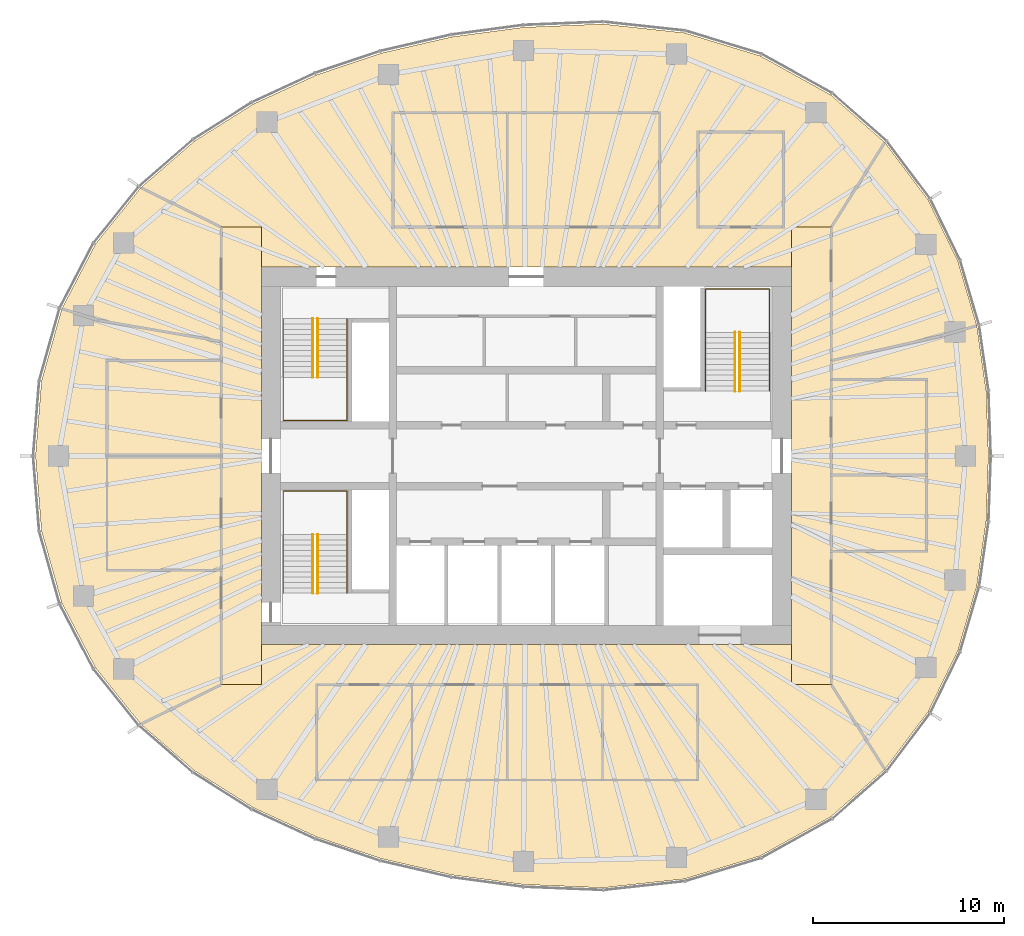
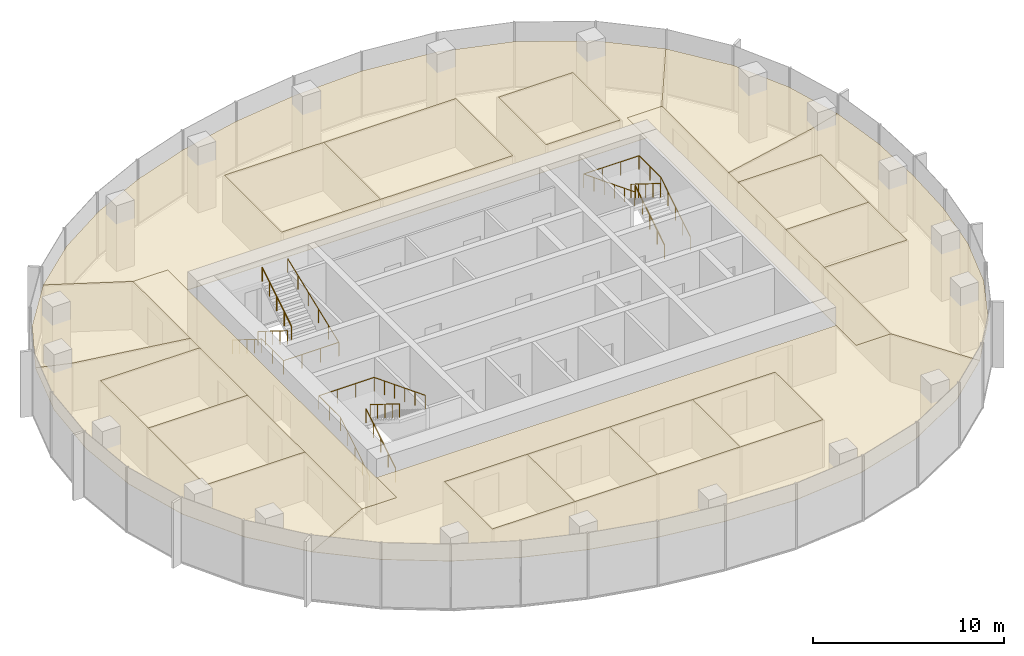
# One storey, part 11 of 11: 19 coverings, 9 railings.
"""IFC4 building model written with IfcOpenShell, lengths in metres."""

import ifcopenshell
import ifcopenshell.guid

model = None  # the IFC model being written
_history = None  # IfcOwnerHistory: only IFC2X3 demands one
_inside = {}  # id of a spatial element -> (the spatial element, [elements in it])
_under = {}  # id of a project, library or spatial element -> (it, [spatial elements below it])
_declared = {}  # id of a project -> (the project, [libraries it declares])
_typed = {}  # id of a type object -> (the type object, [elements of that type])
_made_of = {}  # id of a material, layer set ... -> (it, [elements and type objects made of it])


def new_model(schema):
    """Start an empty IFC model of exactly this schema.

    Asked for "IFC4X3", IfcOpenShell would pick the latest addendum, in which some entities
    have other attributes; the version numbers below select the first issue.
    IFC2X3 requires an IfcOwnerHistory on every rooted entity: one is made here for all.
    """
    global model, _history
    if schema == "IFC4X3":
        model = ifcopenshell.file(schema_version=(4, 3, 0, 0))
    else:
        model = ifcopenshell.file(schema=schema)
    _inside.clear()
    _under.clear()
    _declared.clear()
    _typed.clear()
    _made_of.clear()
    _history = None
    if model.schema == "IFC2X3":
        org = make("IfcOrganization", Name="unknown")
        user = make(
            "IfcPersonAndOrganization",
            ThePerson=make("IfcPerson", FamilyName="unknown"),
            TheOrganization=org,
        )
        app = make(
            "IfcApplication",
            ApplicationDeveloper=org,
            Version="unknown",
            ApplicationFullName="unknown",
            ApplicationIdentifier="unknown",
        )
        _history = make(
            "IfcOwnerHistory",
            OwningUser=user,
            OwningApplication=app,
            ChangeAction="ADDED",
            CreationDate=0,
        )
    return model


def make(cls, **values):
    """One entity of the class cls with the attributes given. An attribute that is None is left unset."""
    return model.create_entity(
        cls, **{name: value for name, value in values.items() if value is not None}
    )


def rooted(cls, **values):
    """An entity with a GlobalId (a new one), such as an element, a storey or a relation."""
    return make(cls, GlobalId=ifcopenshell.guid.new(), OwnerHistory=_history, **values)


def si_unit(unit_type, name, prefix=None):
    """IfcSIUnit, for example si_unit("LENGTHUNIT", "METRE", prefix="MILLI")."""
    return make("IfcSIUnit", UnitType=unit_type, Prefix=prefix, Name=name)


def assignment(units):
    """IfcUnitAssignment: the units of a project."""
    return None if units is None else make("IfcUnitAssignment", Units=units)


def point(xyz):
    """IfcCartesianPoint."""
    return None if xyz is None else make("IfcCartesianPoint", Coordinates=xyz)


def direction(xyz):
    """IfcDirection."""
    return None if xyz is None else make("IfcDirection", DirectionRatios=xyz)


def frame(location, z_axis=None, x_axis=None):
    """IfcAxis2Placement3D, a coordinate frame: its origin and axes. An axis left out is left unset."""
    return make(
        "IfcAxis2Placement3D",
        Location=point(location),
        Axis=direction(z_axis),
        RefDirection=direction(x_axis),
    )


def frame_2d(location, x_axis=None):
    """IfcAxis2Placement2D, a coordinate frame in the plane: its origin and x axis."""
    return make(
        "IfcAxis2Placement2D", Location=point(location), RefDirection=direction(x_axis)
    )


def origin():
    """The frame at (0, 0, 0) with its axes left unset."""
    return frame((0.0, 0.0, 0.0))


def origin_2d():
    """The frame at (0, 0) in the plane with its x axis left unset."""
    return frame_2d((0.0, 0.0))


def place(relative_to, where):
    """IfcLocalPlacement: puts the frame where relative to a parent placement (None: the world)."""
    return make(
        "IfcLocalPlacement", PlacementRelTo=relative_to, RelativePlacement=where
    )


def context(
    kind, dimensions, precision=None, world=None, true_north=None, identifier=None
):
    """IfcGeometricRepresentationContext, for example the 3D "Model" context."""
    return make(
        "IfcGeometricRepresentationContext",
        ContextIdentifier=identifier,
        ContextType=kind,
        CoordinateSpaceDimension=dimensions,
        Precision=precision,
        WorldCoordinateSystem=world,
        TrueNorth=true_north,
    )


def subcontext(parent, identifier, kind, view, scale=None):
    """IfcGeometricRepresentationSubContext, for example "Body" below "Model"."""
    return make(
        "IfcGeometricRepresentationSubContext",
        ContextIdentifier=identifier,
        ContextType=kind,
        ParentContext=parent,
        TargetScale=scale,
        TargetView=view,
    )


def project(units=None, contexts=None):
    """IfcProject with its units and contexts."""
    return rooted(
        "IfcProject",
        Name="project",
        RepresentationContexts=contexts,
        UnitsInContext=assignment(units),
    )


def spatial(cls, under=None, at=None, **own):
    """A site, building, storey or space (cls), placed at a placement, below another one or the project."""
    s = rooted(cls, ObjectPlacement=at, **own)
    if under is not None:
        _under.setdefault(under.id(), (under, []))[1].append(s)
    return s


def polyline(points):
    """IfcPolyline through the points."""
    return make("IfcPolyline", Points=[point(p) for p in points])


def profile(cls, at=None, kind="AREA", **sizes):
    """A parametric profile (cls). Its sizes go by their IFC names, for example OverallWidth=200.0."""
    return make(cls, ProfileType=kind, Position=at, **sizes)


def circle(**sizes):
    """IfcCircleProfileDef."""
    return profile("IfcCircleProfileDef", **sizes)


def outline(outer, holes=None, kind="AREA"):
    """IfcArbitraryClosedProfileDef: a profile drawn as a closed curve; with holes, ...WithVoids."""
    if holes is None:
        return make("IfcArbitraryClosedProfileDef", ProfileType=kind, OuterCurve=outer)
    return make(
        "IfcArbitraryProfileDefWithVoids",
        ProfileType=kind,
        OuterCurve=outer,
        InnerCurves=holes,
    )


def extrude(swept, where, along, depth):
    """IfcExtrudedAreaSolid: the profile swept, set in the frame where, extruded along a direction by depth."""
    return make(
        "IfcExtrudedAreaSolid",
        SweptArea=swept,
        Position=where,
        ExtrudedDirection=direction(along),
        Depth=depth,
    )


def shape(context_of_items, identifier, shape_type, items):
    """IfcShapeRepresentation: the items that make up one representation, for example the "Body"."""
    return make(
        "IfcShapeRepresentation",
        ContextOfItems=context_of_items,
        RepresentationIdentifier=identifier,
        RepresentationType=shape_type,
        Items=items,
    )


def material(Name=None, Category=None):
    """IfcMaterial."""
    return make("IfcMaterial", Name=Name, Category=Category)


def layer(
    of_material, thickness, ventilated=None, Name=None, Category=None, Priority=None
):
    """IfcMaterialLayer: one layer of a wall or slab, of a material (None: an air gap)."""
    return make(
        "IfcMaterialLayer",
        Material=of_material,
        LayerThickness=thickness,
        IsVentilated=ventilated,
        Name=Name,
        Category=Category,
        Priority=Priority,
    )


def layer_set(layers, Name=None):
    """IfcMaterialLayerSet."""
    return make("IfcMaterialLayerSet", MaterialLayers=layers, LayerSetName=Name)


def made_of(thing, what):
    """Note that an element or type object is made of a material, layer set ...; save() writes the relation."""
    if what is not None:
        _made_of.setdefault(what.id(), (what, []))[1].append(thing)
    return thing


def type_object(cls, material=None, **own):
    """A type object (cls), such as IfcWallType, which elements share."""
    return made_of(rooted(cls, **own), material)


def element(
    cls,
    number,
    at=None,
    inside=None,
    cuts=None,
    type_object=None,
    material=None,
    context=None,
    identifier="Body",
    shape_type=None,
    held_by="IfcProductDefinitionShape",
    body=None,
    shapes=None,
    **own,
):
    """One element of the class cls, such as IfcWall. Its Tag is "e" and its number.

    at: its placement. inside: the storey or other place that contains it. cuts: it is an
    opening in that element (IfcRelVoidsElement). A single representation is given by context,
    identifier, shape_type and body (its items); several are given by shapes. held_by: the class
    of the entity that holds the representations. save() writes the other relations.
    """
    e = rooted(cls, Tag="e%d" % number, ObjectPlacement=at, **own)
    if body is not None:
        shapes = [shape(context, identifier, shape_type, body)]
    if shapes is not None:
        e.Representation = make(held_by, Representations=shapes)
    if inside is not None:
        _inside.setdefault(inside.id(), (inside, []))[1].append(e)
    if cuts is not None:
        rooted(
            "IfcRelVoidsElement", RelatingBuildingElement=cuts, RelatedOpeningElement=e
        )
    if type_object is not None:
        _typed.setdefault(type_object.id(), (type_object, []))[1].append(e)
    return made_of(e, material)


def aggregate(whole, parts):
    """IfcRelAggregates: a whole, such as a stair, and the parts it consists of."""
    return rooted("IfcRelAggregates", RelatingObject=whole, RelatedObjects=parts)


def save(model, path):
    """Write the relations noted so far, then the file.

    IfcRelAggregates (storeys below a building ...), IfcRelContainedInSpatialStructure (elements
    in a storey), IfcRelDefinesByType, IfcRelAssociatesMaterial and IfcRelDeclares: one each for
    every whole, place, type object, material and project.
    """
    for whole, parts in _under.values():
        aggregate(whole, parts)
    for where, things in _inside.values():
        rooted(
            "IfcRelContainedInSpatialStructure",
            RelatedElements=things,
            RelatingStructure=where,
        )
    for kind, things in _typed.values():
        rooted("IfcRelDefinesByType", RelatedObjects=things, RelatingType=kind)
    for what, things in _made_of.values():
        rooted("IfcRelAssociatesMaterial", RelatedObjects=things, RelatingMaterial=what)
    for by, libraries in _declared.values():
        rooted("IfcRelDeclares", RelatingContext=by, RelatedDefinitions=libraries)
    model.write(path)


model = new_model("IFC4")

# Units and contexts
model_context = context("Model", 3, precision=1e-05, world=origin(), true_north=direction((0.0, 1.0)))
body_context = subcontext(model_context, "Body", "Model", "MODEL_VIEW")
ifc_project = project(units=[si_unit("LENGTHUNIT", "METRE"), si_unit("AREAUNIT", "SQUARE_METRE"), si_unit("VOLUMEUNIT", "CUBIC_METRE"), si_unit("PLANEANGLEUNIT", "RADIAN"), si_unit("MASSUNIT", "GRAM", prefix="KILO")], contexts=[model_context])

# Site, building, storey
site_placement = place(None, origin())
site = spatial("IfcSite", under=ifc_project, at=site_placement, CompositionType="ELEMENT")
building_placement = place(site_placement, origin())
building = spatial("IfcBuilding", under=site, at=building_placement, Name="Ghaith Harvest Tower", CompositionType="ELEMENT")
storey_placement = place(building_placement, frame((0.0, 0.0, 292.199951171875)))
storey = spatial("IfcBuildingStorey", under=building, at=storey_placement, Name="L65", CompositionType="ELEMENT", Elevation=292.199951171875)

# Coverings
ifc_material_1 = material(Name="Mineral fibre ceiling tile", Category="gypsum")
ifc_layer = layer(ifc_material_1, 0.02490234375)
ifc_layer_set = layer_set([ifc_layer], Name="CEILING C2")
covering_type = type_object("IfcCoveringType", Name="CEILING C2", PredefinedType="CEILING", material=ifc_layer_set)
covering_1_placement = place(storey_placement, frame((0.0, 0.0, 3.0)))
element("IfcCovering", 1, at=covering_1_placement, inside=storey, type_object=covering_type, Name="Ceiling L65-01", PredefinedType="CEILING", context=body_context, shape_type="SweptSolid", body=[
    extrude(outline(polyline([(-11.0, -17.0), (-6.0, -17.0), (-6.0, -12.0), (-11.0, -12.0), (-11.0, -17.0)])), origin(), (0.0, 0.0, 1.0), 0.025146484375),
])
covering_2_placement = place(storey_placement, frame((0.0, 0.0, 3.0)))
element("IfcCovering", 2, at=covering_2_placement, inside=storey, type_object=covering_type, Name="Ceiling L65-02", PredefinedType="CEILING", context=body_context, shape_type="SweptSolid", body=[
    extrude(outline(polyline([(-6.0, -17.0), (-1.0, -17.0), (-1.0, -12.0), (-6.0, -12.0), (-6.0, -17.0)])), origin(), (0.0, 0.0, 1.0), 0.025146484375),
])
covering_3_placement = place(storey_placement, frame((0.0, 0.0, 3.0)))
element("IfcCovering", 3, at=covering_3_placement, inside=storey, type_object=covering_type, Name="Ceiling L65-03", PredefinedType="CEILING", context=body_context, shape_type="SweptSolid", body=[
    extrude(outline(polyline([(-1.0, -17.0), (4.0, -17.0), (4.0, -12.0), (-1.0, -12.0), (-1.0, -17.0)])), origin(), (0.0, 0.0, 1.0), 0.025146484375),
])
covering_4_placement = place(storey_placement, frame((0.0, 0.0, 3.0)))
element("IfcCovering", 4, at=covering_4_placement, inside=storey, type_object=covering_type, Name="Ceiling L65-04", PredefinedType="CEILING", context=body_context, shape_type="SweptSolid", body=[
    extrude(outline(polyline([(4.0, -17.0), (9.0, -17.0), (9.0, -12.0), (4.0, -12.0), (4.0, -17.0)])), origin(), (0.0, 0.0, 1.0), 0.025146484375),
])
covering_5_placement = place(storey_placement, frame((0.0, 0.0, 3.0)))
element("IfcCovering", 5, at=covering_5_placement, inside=storey, type_object=covering_type, Name="Ceiling L65-05", PredefinedType="CEILING", context=body_context, shape_type="SweptSolid", body=[
    extrude(outline(polyline([(-22.0, -6.0), (-16.0, -6.0), (-16.0, 0.0), (-22.0, 0.0), (-22.0, -6.0)])), origin(), (0.0, 0.0, 1.0), 0.025146484375),
])
covering_6_placement = place(storey_placement, frame((0.0, 0.0, 3.0)))
element("IfcCovering", 6, at=covering_6_placement, inside=storey, type_object=covering_type, Name="Ceiling L65-06", PredefinedType="CEILING", context=body_context, shape_type="SweptSolid", body=[
    extrude(outline(polyline([(-22.0, 0.0), (-16.0, 0.0), (-16.0, 5.0), (-22.0, 5.0), (-22.0, 0.0)])), origin(), (0.0, 0.0, 1.0), 0.025146484375),
])
covering_7_placement = place(storey_placement, frame((0.0, 0.0, 3.0)))
element("IfcCovering", 7, at=covering_7_placement, inside=storey, type_object=covering_type, Name="Ceiling L65-07", PredefinedType="CEILING", context=body_context, shape_type="SweptSolid", body=[
    extrude(outline(polyline([(-7.0, 12.0), (-1.0, 12.0), (-1.0, 18.0), (-7.0, 18.0), (-7.0, 12.0)])), origin(), (0.0, 0.0, 1.0), 0.025146484375),
])
covering_8_placement = place(storey_placement, frame((0.0, 0.0, 3.0)))
element("IfcCovering", 8, at=covering_8_placement, inside=storey, type_object=covering_type, Name="Ceiling L65-08", PredefinedType="CEILING", context=body_context, shape_type="SweptSolid", body=[
    extrude(outline(polyline([(-1.0, 12.0), (7.0, 12.0), (7.0, 18.0), (-1.0, 18.0), (-1.0, 12.0)])), origin(), (0.0, 0.0, 1.0), 0.025146484375),
])
covering_9_placement = place(storey_placement, frame((0.0, 0.0, 3.0)))
element("IfcCovering", 9, at=covering_9_placement, inside=storey, type_object=covering_type, Name="Ceiling L65-09", PredefinedType="CEILING", context=body_context, shape_type="SweptSolid", body=[
    extrude(outline(polyline([(16.0, -5.0), (21.0, -5.0), (21.0, -1.0), (16.0, -1.0), (16.0, -5.0)])), origin(), (0.0, 0.0, 1.0), 0.025146484375),
])
covering_10_placement = place(storey_placement, frame((0.0, 0.0, 3.0)))
element("IfcCovering", 10, at=covering_10_placement, inside=storey, type_object=covering_type, Name="Ceiling L65-10", PredefinedType="CEILING", context=body_context, shape_type="SweptSolid", body=[
    extrude(outline(polyline([(16.0, -1.0), (21.0, -1.0), (21.0, 4.0), (16.0, 4.0), (16.0, -1.0)])), origin(), (0.0, 0.0, 1.0), 0.025146484375),
])
covering_11_placement = place(storey_placement, frame((0.0, 0.0, 3.0)))
element("IfcCovering", 11, at=covering_11_placement, inside=storey, type_object=covering_type, Name="Ceiling L65-11", PredefinedType="CEILING", context=body_context, shape_type="SweptSolid", body=[
    extrude(outline(polyline([(9.0, 12.0), (13.5, 12.0), (13.5, 17.0), (9.0, 17.0), (9.0, 12.0)])), origin(), (0.0, 0.0, 1.0), 0.025146484375),
])
covering_12_placement = place(storey_placement, frame((0.0, 0.0, 3.0)))
element("IfcCovering", 12, at=covering_12_placement, inside=storey, type_object=covering_type, Name="Ceiling L65-C1", PredefinedType="CEILING", context=body_context, shape_type="SweptSolid", body=[
    extrude(outline(polyline([(13.89990234375, -12.0), (13.89990234375, 12.0), (16.0, 12.0), (16.0, -12.0), (13.89990234375, -12.0)])), origin(), (0.0, 0.0, 1.0), 0.025146484375),
])
covering_13_placement = place(storey_placement, frame((0.0, 0.0, 3.0)))
element("IfcCovering", 13, at=covering_13_placement, inside=storey, type_object=covering_type, Name="Ceiling L65-C2", PredefinedType="CEILING", context=body_context, shape_type="SweptSolid", body=[
    extrude(outline(polyline([(-13.89990234375, 12.0), (-13.89990234375, -12.0), (-16.0, -12.0), (-16.0, 12.0), (-13.89990234375, 12.0)])), origin(), (0.0, 0.0, 1.0), 0.025146484375),
])
covering_14_placement = place(storey_placement, frame((0.0, 0.0, 3.0)))
element("IfcCovering", 14, at=covering_14_placement, inside=storey, type_object=covering_type, Name="Ceiling L65-N1", PredefinedType="CEILING", context=body_context, shape_type="SweptSolid", body=[
    extrude(outline(polyline([(-17.40771484375, 16.518310546875), (-14.331298828125, 18.452880859375), (-11.009521484375, 19.98779296875), (-7.6298828125, 21.12548828125), (-3.92529296875, 21.98046875), (-0.15380859375, 22.486083984375), (4.016845703125, 22.658447265625), (8.2978515625, 22.1962890625), (12.273681640625, 20.98828125), (15.971923828125, 18.940185546875), (18.810791015625, 16.4482421875), (16.0, 12.0), (13.89990234375, 12.0), (13.89990234375, 9.89990234375), (-13.89990234375, 9.89990234375), (-13.89990234375, 12.0), (-16.0, 12.0), (-20.225830078125, 14.0732421875), (-17.40771484375, 16.518310546875)]), holes=[polyline([(7.0, 18.0), (-7.0, 18.0), (-7.0, 12.0), (7.0, 12.0), (7.0, 18.0)]), polyline([(9.0, 17.0), (9.0, 12.0), (13.5, 12.0), (13.5, 17.0), (9.0, 17.0)])]), origin(), (0.0, 0.0, 1.0), 0.025146484375),
])
covering_15_placement = place(storey_placement, frame((0.0, 0.0, 3.0)))
element("IfcCovering", 15, at=covering_15_placement, inside=storey, type_object=covering_type, Name="Ceiling L65-E1", PredefinedType="CEILING", context=body_context, shape_type="SweptSolid", body=[
    extrude(outline(polyline([(21.087890625, 13.42041015625), (22.644775390625, 10.222900390625), (23.6376953125, 6.831787109375), (21.71630859375, 6.276611328125), (16.0, 5.0), (16.0, 12.0), (18.810791015625, 16.4482421875), (21.087890625, 13.42041015625)])), origin(), (0.0, 0.0, 1.0), 0.025146484375),
])
covering_16_placement = place(storey_placement, frame((0.0, 0.0, 3.0)))
element("IfcCovering", 16, at=covering_16_placement, inside=storey, type_object=covering_type, Name="Ceiling L65-E2", PredefinedType="CEILING", context=body_context, shape_type="SweptSolid", body=[
    extrude(outline(polyline([(23.6376953125, 6.831787109375), (23.6376953125, 6.831787109375), (24.129150390625, 3.4169921875), (24.25, 0.0), (24.129150390625, -3.4169921875), (23.6376953125, -6.831787109375), (22.644775390625, -10.222900390625), (21.087890625, -13.42041015625), (18.810791015625, -16.4482421875), (16.0, -12.0), (16.0, -5.0), (21.0, -5.0), (21.0, 4.0), (16.0, 4.0), (16.0, 5.0), (21.71630859375, 6.276611328125), (23.6376953125, 6.831787109375)])), origin(), (0.0, 0.0, 1.0), 0.025146484375),
])
covering_17_placement = place(storey_placement, frame((0.0, 0.0, 3.0)))
element("IfcCovering", 17, at=covering_17_placement, inside=storey, type_object=covering_type, Name="Ceiling L65-S1", PredefinedType="CEILING", context=body_context, shape_type="SweptSolid", body=[
    extrude(outline(polyline([(-14.331298828125, -18.452880859375), (-17.40771484375, -16.518310546875), (-20.225830078125, -14.0732421875), (-16.0, -12.0), (-13.89990234375, -12.0), (-13.89990234375, -9.89990234375), (13.89990234375, -9.89990234375), (13.89990234375, -12.0), (16.0, -12.0), (18.810791015625, -16.4482421875), (15.971923828125, -18.940185546875), (12.273681640625, -20.98828125), (8.2978515625, -22.1962890625), (4.016845703125, -22.658447265625), (-0.15380859375, -22.486083984375), (-3.92529296875, -21.98046875), (-7.6298828125, -21.12548828125), (-11.009521484375, -19.98779296875), (-14.331298828125, -18.452880859375)]), holes=[polyline([(-11.0, -17.0), (9.0, -17.0), (9.0, -12.0), (-11.0, -12.0), (-11.0, -17.0)])]), origin(), (0.0, 0.0, 1.0), 0.025146484375),
])
covering_18_placement = place(storey_placement, frame((0.0, 0.0, 3.0)))
element("IfcCovering", 18, at=covering_18_placement, inside=storey, type_object=covering_type, Name="Ceiling L65-W1", PredefinedType="CEILING", context=body_context, shape_type="SweptSolid", body=[
    extrude(outline(polyline([(-22.5986328125, -11.12353515625), (-24.368408203125, -7.722900390625), (-25.43310546875, -3.93359375), (-25.75, 0.0), (-25.43310546875, 3.93359375), (-24.368408203125, 7.722900390625), (-24.368408203125, 7.722900390625), (-22.4619140625, 7.11865234375), (-16.0, 6.0), (-16.0, 5.0), (-22.0, 5.0), (-22.0, -6.0), (-16.0, -6.0), (-16.0, -12.0), (-20.225830078125, -14.0732421875), (-22.5986328125, -11.12353515625)])), origin(), (0.0, 0.0, 1.0), 0.025146484375),
])
covering_19_placement = place(storey_placement, frame((0.0, 0.0, 3.0)))
element("IfcCovering", 19, at=covering_19_placement, inside=storey, type_object=covering_type, Name="Ceiling L65-W2", PredefinedType="CEILING", context=body_context, shape_type="SweptSolid", body=[
    extrude(outline(polyline([(-24.368408203125, 7.722900390625), (-24.368408203125, 7.722900390625), (-22.5986328125, 11.12353515625), (-20.225830078125, 14.0732421875), (-16.0, 12.0), (-16.0, 6.0), (-22.4619140625, 7.11865234375), (-24.368408203125, 7.722900390625), (-24.368408203125, 7.722900390625)])), origin(), (0.0, 0.0, 1.0), 0.025146484375),
])

# Railings
ifc_material_2 = material(Name="Steel, black powder-coated", Category="steel")
railing_type = type_object("IfcRailingType", Name="HANDRAIL HR1", PredefinedType="HANDRAIL", material=ifc_material_2)
railing_1_placement = place(storey_placement, frame((-11.199951171875, 7.199951171875, 0.175048828125)))
element("IfcRailing", 20, at=railing_1_placement, inside=storey, type_object=railing_type, Name="Handrail HR1 stair ST1 L65 flight 1 inner", PredefinedType="HANDRAIL", context=body_context, shape_type="SweptSolid", body=[
    extrude(circle(Radius=0.02392578125, at=origin_2d()), frame((0.0, 0.0, 0.8759765625), z_axis=(0.0, -0.847979421464, 0.530029150871), x_axis=(1.0, 0.0, 0.0)), (0.0, 0.0, 1.0), 3.632080078125),
    extrude(circle(Radius=0.02099609375, at=origin_2d()), origin(), (0.0, 0.0, 1.0), 0.851806640625),
    extrude(circle(Radius=0.02099609375, at=origin_2d()), frame((0.0, -0.77001953125, 0.481201171875)), (0.0, 0.0, 1.0), 0.851806640625),
    extrude(circle(Radius=0.02099609375, at=origin_2d()), frame((0.0, -1.5400390625, 0.96240234375)), (0.0, 0.0, 1.0), 0.851806640625),
    extrude(circle(Radius=0.02099609375, at=origin_2d()), frame((0.0, -2.309814453125, 1.44384765625)), (0.0, 0.0, 1.0), 0.851806640625),
    extrude(circle(Radius=0.02099609375, at=origin_2d()), frame((0.0, -3.079833984375, 1.925048828125)), (0.0, 0.0, 1.0), 0.851806640625),
])
railing_2_placement = place(storey_placement, frame((-10.949951171875, 4.1201171875, 2.275146484375)))
element("IfcRailing", 21, at=railing_2_placement, inside=storey, type_object=railing_type, Name="Handrail HR1 stair ST1 L65 flight 2 inner", PredefinedType="HANDRAIL", context=body_context, shape_type="SweptSolid", body=[
    extrude(circle(Radius=0.02392578125, at=origin_2d()), frame((0.0, 0.0, 0.8759765625), z_axis=(0.0, 0.848009633417, 0.529980812513), x_axis=(-1.0, 0.0, 0.0)), (0.0, 0.0, 1.0), 3.6318359375),
    extrude(circle(Radius=0.02099609375, at=origin_2d()), origin(), (0.0, 0.0, 1.0), 0.851806640625),
    extrude(circle(Radius=0.02099609375, at=origin_2d()), frame((0.0, 0.77001953125, 0.481201171875)), (0.0, 0.0, 1.0), 0.851806640625),
    extrude(circle(Radius=0.02099609375, at=origin_2d()), frame((0.0, 1.5400390625, 0.96240234375)), (0.0, 0.0, 1.0), 0.851806640625),
    extrude(circle(Radius=0.02099609375, at=origin_2d()), frame((0.0, 2.309814453125, 1.443603515625)), (0.0, 0.0, 1.0), 0.851806640625),
    extrude(circle(Radius=0.02099609375, at=origin_2d()), frame((0.0, 3.079833984375, 1.9248046875)), (0.0, 0.0, 1.0), 0.851806640625),
])
railing_3_placement = place(storey_placement, frame((-12.75, 7.199951171875, 0.175048828125)))
element("IfcRailing", 22, at=railing_3_placement, inside=storey, type_object=railing_type, Name="Handrail HR1 stair ST1 L65 wall side", PredefinedType="HANDRAIL", context=body_context, shape_type="SweptSolid", body=[
    extrude(circle(Radius=0.02392578125, at=origin_2d()), frame((0.0, 0.0, 0.8759765625), z_axis=(0.0, -0.847979421464, 0.530029150871), x_axis=(1.0, 0.0, 0.0)), (0.0, 0.0, 1.0), 3.632080078125),
    extrude(circle(Radius=0.02392578125, at=origin_2d()), frame((0.0, -3.079833984375, 2.80078125), z_axis=(0.0, -1.0, 0.0), x_axis=(1.0, 0.0, 0.0)), (0.0, 0.0, 1.0), 2.27001953125),
    extrude(circle(Radius=0.02392578125, at=origin_2d()), frame((0.0, -5.349853515625, 2.80078125), z_axis=(1.0, 0.0, 0.0), x_axis=(0.0, 1.0, 0.0)), (0.0, 0.0, 1.0), 3.35009765625),
    extrude(circle(Radius=0.02392578125, at=origin_2d()), frame((3.35009765625, -5.349853515625, 2.80078125), z_axis=(0.0, 0.930862461605, 0.365369781968), x_axis=(-1.0, 0.0, 0.0)), (0.0, 0.0, 1.0), 5.747314453125),
    extrude(circle(Radius=0.02099609375, at=origin_2d()), origin(), (0.0, 0.0, 1.0), 0.851806640625),
    extrude(circle(Radius=0.02099609375, at=origin_2d()), frame((0.0, -0.77001953125, 0.481201171875)), (0.0, 0.0, 1.0), 0.851806640625),
    extrude(circle(Radius=0.02099609375, at=origin_2d()), frame((0.0, -1.5400390625, 0.96240234375)), (0.0, 0.0, 1.0), 0.851806640625),
    extrude(circle(Radius=0.02099609375, at=origin_2d()), frame((0.0, -2.309814453125, 1.44384765625)), (0.0, 0.0, 1.0), 0.851806640625),
    extrude(circle(Radius=0.02099609375, at=origin_2d()), frame((0.0, -3.079833984375, 1.925048828125)), (0.0, 0.0, 1.0), 0.851806640625),
    extrude(circle(Radius=0.02099609375, at=origin_2d()), frame((0.0, -4.21484375, 1.925048828125)), (0.0, 0.0, 1.0), 0.851806640625),
    extrude(circle(Radius=0.02099609375, at=origin_2d()), frame((0.0, -5.349853515625, 1.925048828125)), (0.0, 0.0, 1.0), 0.851806640625),
    extrude(circle(Radius=0.02099609375, at=origin_2d()), frame((1.11669921875, -5.349853515625, 1.925048828125)), (0.0, 0.0, 1.0), 0.851806640625),
    extrude(circle(Radius=0.02099609375, at=origin_2d()), frame((2.2333984375, -5.349853515625, 1.925048828125)), (0.0, 0.0, 1.0), 0.851806640625),
    extrude(circle(Radius=0.02099609375, at=origin_2d()), frame((3.35009765625, -5.349853515625, 1.925048828125)), (0.0, 0.0, 1.0), 0.851806640625),
    extrude(circle(Radius=0.02099609375, at=origin_2d()), frame((3.35009765625, -4.27978515625, 2.344970703125)), (0.0, 0.0, 1.0), 0.851806640625),
    extrude(circle(Radius=0.02099609375, at=origin_2d()), frame((3.35009765625, -3.2099609375, 2.764892578125)), (0.0, 0.0, 1.0), 0.851806640625),
    extrude(circle(Radius=0.02099609375, at=origin_2d()), frame((3.35009765625, -2.139892578125, 3.18505859375)), (0.0, 0.0, 1.0), 0.851806640625),
    extrude(circle(Radius=0.02099609375, at=origin_2d()), frame((3.35009765625, -1.070068359375, 3.60498046875)), (0.0, 0.0, 1.0), 0.851806640625),
    extrude(circle(Radius=0.02099609375, at=origin_2d()), frame((3.35009765625, 0.0, 4.02490234375)), (0.0, 0.0, 1.0), 0.851806640625),
])
railing_4_placement = place(storey_placement, frame((-11.199951171875, -7.199951171875, 0.175048828125)))
element("IfcRailing", 23, at=railing_4_placement, inside=storey, type_object=railing_type, Name="Handrail HR1 stair ST3 L65 flight 1 inner", PredefinedType="HANDRAIL", context=body_context, shape_type="SweptSolid", body=[
    extrude(circle(Radius=0.02392578125, at=origin_2d()), frame((0.0, 0.0, 0.8759765625), z_axis=(0.0, 0.847979421464, 0.530029150871), x_axis=(-1.0, 0.0, 0.0)), (0.0, 0.0, 1.0), 3.632080078125),
    extrude(circle(Radius=0.02099609375, at=origin_2d()), origin(), (0.0, 0.0, 1.0), 0.851806640625),
    extrude(circle(Radius=0.02099609375, at=origin_2d()), frame((0.0, 0.77001953125, 0.481201171875)), (0.0, 0.0, 1.0), 0.851806640625),
    extrude(circle(Radius=0.02099609375, at=origin_2d()), frame((0.0, 1.5400390625, 0.96240234375)), (0.0, 0.0, 1.0), 0.851806640625),
    extrude(circle(Radius=0.02099609375, at=origin_2d()), frame((0.0, 2.309814453125, 1.44384765625)), (0.0, 0.0, 1.0), 0.851806640625),
    extrude(circle(Radius=0.02099609375, at=origin_2d()), frame((0.0, 3.079833984375, 1.925048828125)), (0.0, 0.0, 1.0), 0.851806640625),
])
railing_5_placement = place(storey_placement, frame((-10.949951171875, -4.1201171875, 2.275146484375)))
element("IfcRailing", 24, at=railing_5_placement, inside=storey, type_object=railing_type, Name="Handrail HR1 stair ST3 L65 flight 2 inner", PredefinedType="HANDRAIL", context=body_context, shape_type="SweptSolid", body=[
    extrude(circle(Radius=0.02392578125, at=origin_2d()), frame((0.0, 0.0, 0.8759765625), z_axis=(0.0, -0.848009633417, 0.529980812513), x_axis=(1.0, 0.0, 0.0)), (0.0, 0.0, 1.0), 3.6318359375),
    extrude(circle(Radius=0.02099609375, at=origin_2d()), origin(), (0.0, 0.0, 1.0), 0.851806640625),
    extrude(circle(Radius=0.02099609375, at=origin_2d()), frame((0.0, -0.77001953125, 0.481201171875)), (0.0, 0.0, 1.0), 0.851806640625),
    extrude(circle(Radius=0.02099609375, at=origin_2d()), frame((0.0, -1.5400390625, 0.96240234375)), (0.0, 0.0, 1.0), 0.851806640625),
    extrude(circle(Radius=0.02099609375, at=origin_2d()), frame((0.0, -2.309814453125, 1.443603515625)), (0.0, 0.0, 1.0), 0.851806640625),
    extrude(circle(Radius=0.02099609375, at=origin_2d()), frame((0.0, -3.079833984375, 1.9248046875)), (0.0, 0.0, 1.0), 0.851806640625),
])
railing_6_placement = place(storey_placement, frame((-12.75, -7.199951171875, 0.175048828125)))
element("IfcRailing", 25, at=railing_6_placement, inside=storey, type_object=railing_type, Name="Handrail HR1 stair ST3 L65 wall side", PredefinedType="HANDRAIL", context=body_context, shape_type="SweptSolid", body=[
    extrude(circle(Radius=0.02392578125, at=origin_2d()), frame((0.0, 0.0, 0.8759765625), z_axis=(0.0, 0.847979421464, 0.530029150871), x_axis=(-1.0, 0.0, 0.0)), (0.0, 0.0, 1.0), 3.632080078125),
    extrude(circle(Radius=0.02392578125, at=origin_2d()), frame((0.0, 3.079833984375, 2.80078125), z_axis=(0.0, 1.0, 0.0), x_axis=(-1.0, 0.0, 0.0)), (0.0, 0.0, 1.0), 2.27001953125),
    extrude(circle(Radius=0.02392578125, at=origin_2d()), frame((0.0, 5.349853515625, 2.80078125), z_axis=(1.0, 0.0, 0.0), x_axis=(0.0, 1.0, 0.0)), (0.0, 0.0, 1.0), 3.35009765625),
    extrude(circle(Radius=0.02392578125, at=origin_2d()), frame((3.35009765625, 5.349853515625, 2.80078125), z_axis=(0.0, -0.930862461605, 0.365369781968), x_axis=(1.0, 0.0, 0.0)), (0.0, 0.0, 1.0), 5.747314453125),
    extrude(circle(Radius=0.02099609375, at=origin_2d()), origin(), (0.0, 0.0, 1.0), 0.851806640625),
    extrude(circle(Radius=0.02099609375, at=origin_2d()), frame((0.0, 0.77001953125, 0.481201171875)), (0.0, 0.0, 1.0), 0.851806640625),
    extrude(circle(Radius=0.02099609375, at=origin_2d()), frame((0.0, 1.5400390625, 0.96240234375)), (0.0, 0.0, 1.0), 0.851806640625),
    extrude(circle(Radius=0.02099609375, at=origin_2d()), frame((0.0, 2.309814453125, 1.44384765625)), (0.0, 0.0, 1.0), 0.851806640625),
    extrude(circle(Radius=0.02099609375, at=origin_2d()), frame((0.0, 3.079833984375, 1.925048828125)), (0.0, 0.0, 1.0), 0.851806640625),
    extrude(circle(Radius=0.02099609375, at=origin_2d()), frame((0.0, 4.21484375, 1.925048828125)), (0.0, 0.0, 1.0), 0.851806640625),
    extrude(circle(Radius=0.02099609375, at=origin_2d()), frame((0.0, 5.349853515625, 1.925048828125)), (0.0, 0.0, 1.0), 0.851806640625),
    extrude(circle(Radius=0.02099609375, at=origin_2d()), frame((1.11669921875, 5.349853515625, 1.925048828125)), (0.0, 0.0, 1.0), 0.851806640625),
    extrude(circle(Radius=0.02099609375, at=origin_2d()), frame((2.2333984375, 5.349853515625, 1.925048828125)), (0.0, 0.0, 1.0), 0.851806640625),
    extrude(circle(Radius=0.02099609375, at=origin_2d()), frame((3.35009765625, 5.349853515625, 1.925048828125)), (0.0, 0.0, 1.0), 0.851806640625),
    extrude(circle(Radius=0.02099609375, at=origin_2d()), frame((3.35009765625, 4.27978515625, 2.344970703125)), (0.0, 0.0, 1.0), 0.851806640625),
    extrude(circle(Radius=0.02099609375, at=origin_2d()), frame((3.35009765625, 3.2099609375, 2.764892578125)), (0.0, 0.0, 1.0), 0.851806640625),
    extrude(circle(Radius=0.02099609375, at=origin_2d()), frame((3.35009765625, 2.139892578125, 3.18505859375)), (0.0, 0.0, 1.0), 0.851806640625),
    extrude(circle(Radius=0.02099609375, at=origin_2d()), frame((3.35009765625, 1.070068359375, 3.60498046875)), (0.0, 0.0, 1.0), 0.851806640625),
    extrude(circle(Radius=0.02099609375, at=origin_2d()), frame((3.35009765625, 0.0, 4.02490234375)), (0.0, 0.0, 1.0), 0.851806640625),
])
railing_7_placement = place(storey_placement, frame((11.199951171875, 3.39990234375, 0.175048828125)))
element("IfcRailing", 26, at=railing_7_placement, inside=storey, type_object=railing_type, Name="Handrail HR1 stair ST2 L65 flight 1 inner", PredefinedType="HANDRAIL", context=body_context, shape_type="SweptSolid", body=[
    extrude(circle(Radius=0.02392578125, at=origin_2d()), frame((0.0, 0.0, 0.8759765625), z_axis=(0.0, 0.847998304005, 0.529998940003), x_axis=(-1.0, 0.0, 0.0)), (0.0, 0.0, 1.0), 3.632080078125),
    extrude(circle(Radius=0.02099609375, at=origin_2d()), origin(), (0.0, 0.0, 1.0), 0.851806640625),
    extrude(circle(Radius=0.02099609375, at=origin_2d()), frame((0.0, 0.77001953125, 0.481201171875)), (0.0, 0.0, 1.0), 0.851806640625),
    extrude(circle(Radius=0.02099609375, at=origin_2d()), frame((0.0, 1.5400390625, 0.96240234375)), (0.0, 0.0, 1.0), 0.851806640625),
    extrude(circle(Radius=0.02099609375, at=origin_2d()), frame((0.0, 2.31005859375, 1.44384765625)), (0.0, 0.0, 1.0), 0.851806640625),
    extrude(circle(Radius=0.02099609375, at=origin_2d()), frame((0.0, 3.080078125, 1.925048828125)), (0.0, 0.0, 1.0), 0.851806640625),
])
railing_8_placement = place(storey_placement, frame((10.949951171875, 6.47998046875, 2.275146484375)))
element("IfcRailing", 27, at=railing_8_placement, inside=storey, type_object=railing_type, Name="Handrail HR1 stair ST2 L65 flight 2 inner", PredefinedType="HANDRAIL", context=body_context, shape_type="SweptSolid", body=[
    extrude(circle(Radius=0.02392578125, at=origin_2d()), frame((0.0, 0.0, 0.8759765625), z_axis=(0.0, -0.848028513186, 0.529950602248), x_axis=(1.0, 0.0, 0.0)), (0.0, 0.0, 1.0), 3.632080078125),
    extrude(circle(Radius=0.02099609375, at=origin_2d()), origin(), (0.0, 0.0, 1.0), 0.851806640625),
    extrude(circle(Radius=0.02099609375, at=origin_2d()), frame((0.0, -0.77001953125, 0.481201171875)), (0.0, 0.0, 1.0), 0.851806640625),
    extrude(circle(Radius=0.02099609375, at=origin_2d()), frame((0.0, -1.5400390625, 0.96240234375)), (0.0, 0.0, 1.0), 0.851806640625),
    extrude(circle(Radius=0.02099609375, at=origin_2d()), frame((0.0, -2.31005859375, 1.443603515625)), (0.0, 0.0, 1.0), 0.851806640625),
    extrude(circle(Radius=0.02099609375, at=origin_2d()), frame((0.0, -3.080078125, 1.9248046875)), (0.0, 0.0, 1.0), 0.851806640625),
])
railing_9_placement = place(storey_placement, frame((12.75, 3.39990234375, 0.175048828125)))
element("IfcRailing", 28, at=railing_9_placement, inside=storey, type_object=railing_type, Name="Handrail HR1 stair ST2 L65 wall side", PredefinedType="HANDRAIL", context=body_context, shape_type="SweptSolid", body=[
    extrude(circle(Radius=0.02392578125, at=origin_2d()), frame((0.0, 0.0, 0.8759765625), z_axis=(0.0, 0.847998304005, 0.529998940003), x_axis=(-1.0, 0.0, 0.0)), (0.0, 0.0, 1.0), 3.632080078125),
    extrude(circle(Radius=0.02392578125, at=origin_2d()), frame((0.0, 3.080078125, 2.80078125), z_axis=(0.0, 1.0, 0.0), x_axis=(-1.0, 0.0, 0.0)), (0.0, 0.0, 1.0), 2.27001953125),
    extrude(circle(Radius=0.02392578125, at=origin_2d()), frame((0.0, 5.35009765625, 2.80078125), z_axis=(-1.0, 0.0, 0.0), x_axis=(0.0, -1.0, 0.0)), (0.0, 0.0, 1.0), 3.35009765625),
    extrude(circle(Radius=0.02392578125, at=origin_2d()), frame((-3.35009765625, 5.35009765625, 2.80078125), z_axis=(0.0, -0.930868132128, 0.365355334692), x_axis=(1.0, 0.0, 0.0)), (0.0, 0.0, 1.0), 5.747314453125),
    extrude(circle(Radius=0.02099609375, at=origin_2d()), origin(), (0.0, 0.0, 1.0), 0.851806640625),
    extrude(circle(Radius=0.02099609375, at=origin_2d()), frame((0.0, 0.77001953125, 0.481201171875)), (0.0, 0.0, 1.0), 0.851806640625),
    extrude(circle(Radius=0.02099609375, at=origin_2d()), frame((0.0, 1.5400390625, 0.96240234375)), (0.0, 0.0, 1.0), 0.851806640625),
    extrude(circle(Radius=0.02099609375, at=origin_2d()), frame((0.0, 2.31005859375, 1.44384765625)), (0.0, 0.0, 1.0), 0.851806640625),
    extrude(circle(Radius=0.02099609375, at=origin_2d()), frame((0.0, 3.080078125, 1.925048828125)), (0.0, 0.0, 1.0), 0.851806640625),
    extrude(circle(Radius=0.02099609375, at=origin_2d()), frame((0.0, 4.215087890625, 1.925048828125)), (0.0, 0.0, 1.0), 0.851806640625),
    extrude(circle(Radius=0.02099609375, at=origin_2d()), frame((0.0, 5.35009765625, 1.925048828125)), (0.0, 0.0, 1.0), 0.851806640625),
    extrude(circle(Radius=0.02099609375, at=origin_2d()), frame((-1.11669921875, 5.35009765625, 1.925048828125)), (0.0, 0.0, 1.0), 0.851806640625),
    extrude(circle(Radius=0.02099609375, at=origin_2d()), frame((-2.2333984375, 5.35009765625, 1.925048828125)), (0.0, 0.0, 1.0), 0.851806640625),
    extrude(circle(Radius=0.02099609375, at=origin_2d()), frame((-3.35009765625, 5.35009765625, 1.925048828125)), (0.0, 0.0, 1.0), 0.851806640625),
    extrude(circle(Radius=0.02099609375, at=origin_2d()), frame((-3.35009765625, 4.280029296875, 2.344970703125)), (0.0, 0.0, 1.0), 0.851806640625),
    extrude(circle(Radius=0.02099609375, at=origin_2d()), frame((-3.35009765625, 3.2099609375, 2.764892578125)), (0.0, 0.0, 1.0), 0.851806640625),
    extrude(circle(Radius=0.02099609375, at=origin_2d()), frame((-3.35009765625, 2.14013671875, 3.18505859375)), (0.0, 0.0, 1.0), 0.851806640625),
    extrude(circle(Radius=0.02099609375, at=origin_2d()), frame((-3.35009765625, 1.070068359375, 3.60498046875)), (0.0, 0.0, 1.0), 0.851806640625),
    extrude(circle(Radius=0.02099609375, at=origin_2d()), frame((-3.35009765625, 0.0, 4.02490234375)), (0.0, 0.0, 1.0), 0.851806640625),
])

save(model, "model.ifc")
